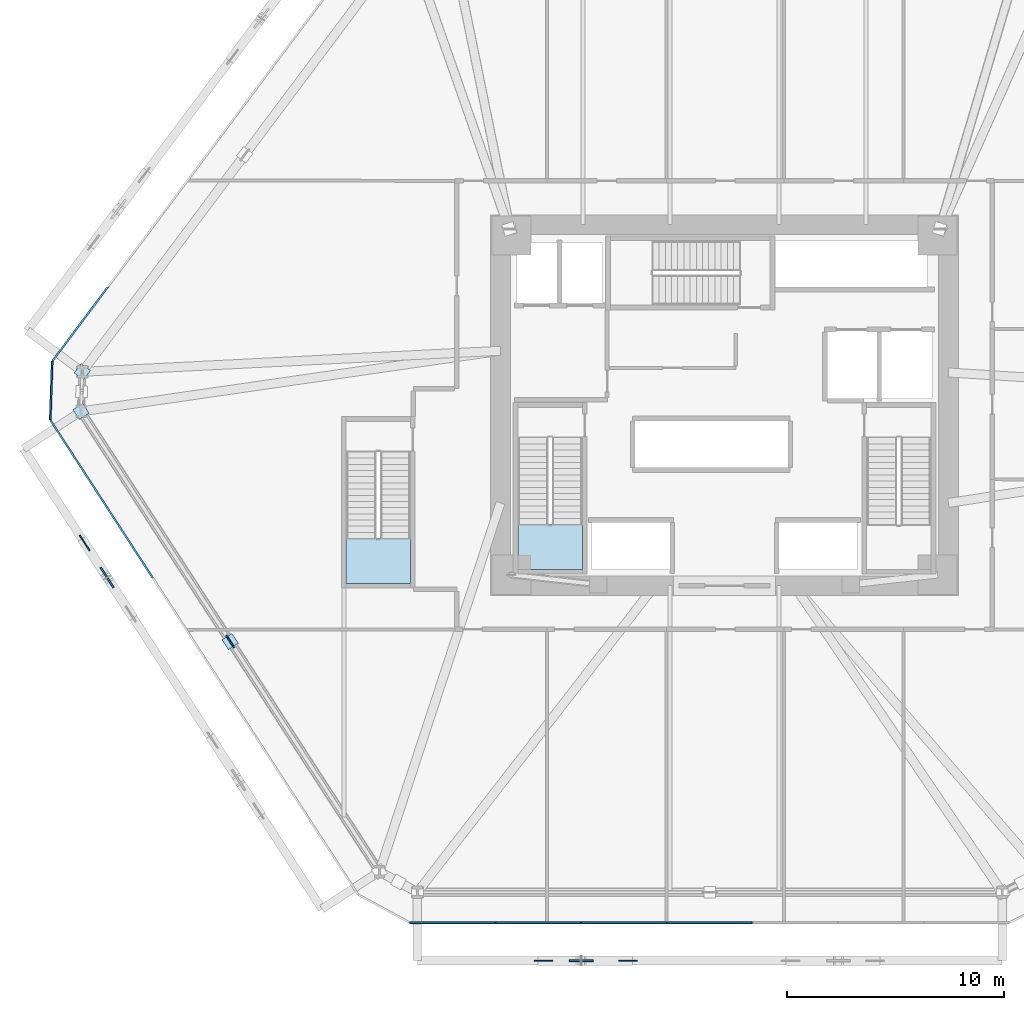
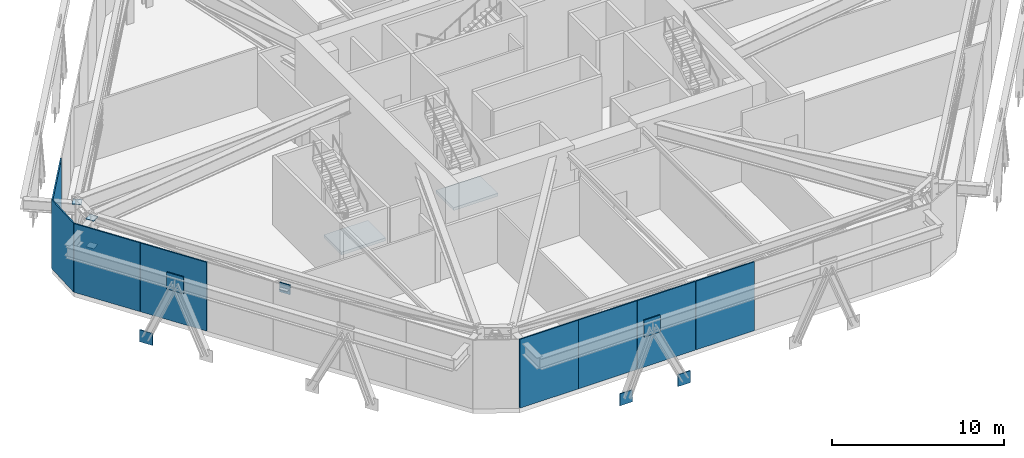
# One storey, part 5 of 16: 18 plates, 2 slabs, 2 elements without a shape of their own.
"""IFC4 building model written with IfcOpenShell, lengths in metres."""

from ifc_helpers import new_model, si_unit, direction, frame, origin, origin_2d, place, context, subcontext, project, spatial, polyline, rectangle, outline, extrude, source, transform, mapped, material, layer, layer_set, type_object, type_shapes, element, aggregate, save


model = new_model("IFC4")

# Units and contexts
model_context = context("Model", 3, precision=1e-05, world=origin(), true_north=direction((0.0, 1.0)))
body_context = subcontext(model_context, "Body", "Model", "MODEL_VIEW")
ifc_project = project(units=[si_unit("LENGTHUNIT", "METRE"), si_unit("AREAUNIT", "SQUARE_METRE"), si_unit("VOLUMEUNIT", "CUBIC_METRE"), si_unit("PLANEANGLEUNIT", "RADIAN"), si_unit("MASSUNIT", "GRAM", prefix="KILO")], contexts=[model_context])

# Site, building, storey
site_placement = place(None, origin())
site = spatial("IfcSite", under=ifc_project, at=site_placement, CompositionType="ELEMENT")
building_placement = place(site_placement, origin())
building = spatial("IfcBuilding", under=site, at=building_placement, Name="Durnholm Broadcast Tower", CompositionType="ELEMENT")
storey_placement = place(building_placement, frame((0.0, 0.0, 10.39990234375)))
storey = spatial("IfcBuildingStorey", under=building, at=storey_placement, Name="L02", CompositionType="ELEMENT", Elevation=10.39990234375)

# Stair, slab
ifc_material_1 = material(Name="Concrete C50/60", Category="concrete")
stair_type = type_object("IfcStairType", Name="STAIR-DL-30R1733", PredefinedType="HALF_TURN_STAIR", material=ifc_material_1)
stair_1_placement = place(storey_placement, origin())
stair_1 = element("IfcStair", 1, at=stair_1_placement, inside=storey, type_object=stair_type, Name="L02 ST-1", PredefinedType="HALF_TURN_STAIR")
ifc_layer_1 = layer(ifc_material_1, 0.199951171875)
ifc_layer_set_1 = layer_set([ifc_layer_1], Name="Concrete C50/60")
slab_type = type_object("IfcSlabType", Name="SLAB-LND-200", PredefinedType="LANDING", material=ifc_layer_set_1)
slab_1_placement = place(storey_placement, frame((0.0, 0.0, 2.400146484375)))
slab_1 = element("IfcSlab", 2, at=slab_1_placement, type_object=slab_type, Name="ST-1 landing 1", PredefinedType="LANDING", context=body_context, shape_type="SweptSolid", body=[
    extrude(outline(polyline([(-9.5, -5.489990234375), (-9.5, -7.550048828125), (-6.5400390625, -7.550048828125), (-6.5400390625, -5.489990234375), (-9.5, -5.489990234375)])), origin(), (0.0, 0.0, 1.0), 0.199951171875),
])
aggregate(stair_1, [slab_1])

stair_2_placement = place(storey_placement, origin())
stair_2 = element("IfcStair", 3, at=stair_2_placement, inside=storey, type_object=stair_type, Name="L02 ST-4", PredefinedType="HALF_TURN_STAIR")
slab_2_placement = place(storey_placement, frame((0.0, 0.0, 2.400146484375)))
slab_2 = element("IfcSlab", 4, at=slab_2_placement, type_object=slab_type, Name="ST-4 landing 1", PredefinedType="LANDING", context=body_context, shape_type="SweptSolid", body=[
    extrude(outline(polyline([(-17.39990234375, -6.139892578125), (-17.39990234375, -8.199951171875), (-14.43994140625, -8.199951171875), (-14.43994140625, -6.139892578125), (-17.39990234375, -6.139892578125)])), origin(), (0.0, 0.0, 1.0), 0.199951171875),
])
aggregate(stair_2, [slab_2])

# Plates
ifc_material_2 = material(Name="Steel ASTM A572 Grade 50", Category="steel")
ifc_layer_2 = layer(ifc_material_2, 0.0400390625)
ifc_layer_set_2 = layer_set([ifc_layer_2], Name="Steel ASTM A572 Grade 50")
plate_type_1 = type_object("IfcPlateType", Name="PLT-KN-CAP", PredefinedType="USERDEFINED", material=ifc_layer_set_2)
shared_shape_1 = source(origin(), body_context, "Body", "SweptSolid", [
    extrude(rectangle(XDim=0.5400390625, YDim=0.5400390625, at=origin_2d()), origin(), (0.0, 0.0, 1.0), 0.0400390625),
])
type_shapes(plate_type_1, [shared_shape_1])
for number, where, z_axis, x_axis, name in (
    (5, (-29.590576171875, -0.28857421875, 2.530029296875), (0.0, 0.0, 1.0), (-0.544053399827, 0.839050593311, 0.0), "L02 hollow section end cap plate BT-CH-L02-01 2"),
    (6, (-29.590576171875, -0.28857421875, 4.510009765625), (0.0, 0.0, 1.0), (-0.544053399827, 0.839050593311, 0.0), "L02 hollow section end cap plate BT-XCONT-L02-01 2"),
    (7, (-22.728515625, -10.86962890625, 3.52001953125), (0.0, 0.0, 1.0), (0.544053399827, -0.839050593311, 0.0), "L02 hollow section end cap plate BT-XSPLIT-L02-01-1 2"),
    (8, (-29.529296875, 1.530517578125, 4.510009765625), (0.0, 0.0, 1.0), (-0.59916334338, -0.800626809413, 0.0), "L02 hollow section end cap plate BT-XSPLIT-L02-03-2 2"),
):
    element("IfcPlate", number, at=place(storey_placement, frame(where, z_axis=z_axis, x_axis=x_axis)), inside=storey, type_object=plate_type_1, Name=name, ObjectType="CAP_PLATE", PredefinedType="USERDEFINED", context=body_context, shape_type="MappedRepresentation", body=[
        mapped(shared_shape_1, transform((0.0, 0.0, 0.0), x_axis=(1.0, 0.0, 0.0), y_axis=(0.0, 1.0, 0.0), z_axis=(0.0, 0.0, 1.0), scale=1.0)),
    ])
ifc_material_3 = material(Name="ASTM A572 Grade 50 Steel", Category="steel")
ifc_layer_3 = layer(ifc_material_3, 0.06005859375)
ifc_layer_set_3 = layer_set([ifc_layer_3], Name="ASTM A572 Grade 50 Steel")
plate_type_2 = type_object("IfcPlateType", Name="PLT-KN-X1", PredefinedType="USERDEFINED", material=ifc_layer_set_3)
shared_shape_2 = source(origin(), body_context, "Body", "SweptSolid", [
    extrude(rectangle(XDim=0.679931640625, YDim=0.06005859375, at=origin_2d()), origin(), (0.0, 0.0, 1.0), 0.679931640625),
])
type_shapes(plate_type_2, [shared_shape_2])
plate_1_placement = place(storey_placement, frame((-22.728515625, -10.86962890625, 3.2001953125), z_axis=(0.0, 0.0, 1.0), x_axis=(-0.544053399827, 0.839050593311, 0.0)))
element("IfcPlate", 9, at=plate_1_placement, inside=storey, type_object=plate_type_2, Name="L02 belt-truss X-brace crossing gusset plate 01", ObjectType="GUSSET_PLATE", PredefinedType="USERDEFINED", context=body_context, shape_type="MappedRepresentation", body=[
    mapped(shared_shape_2, transform((0.0, 0.0, 0.0), x_axis=(1.0, 0.0, 0.0), y_axis=(0.0, 1.0, 0.0), z_axis=(0.0, 0.0, 1.0), scale=1.0)),
])
ifc_layer_4 = layer(ifc_material_2, 0.080078125)
ifc_layer_set_4 = layer_set([ifc_layer_4], Name="Steel ASTM A572 Grade 50")
plate_type_3 = type_object("IfcPlateType", Name="PLT-KN02-GUS", PredefinedType="USERDEFINED", material=ifc_layer_set_4)
shared_shape_3 = source(origin(), body_context, "Body", "SweptSolid", [
    extrude(rectangle(XDim=0.85009765625, YDim=0.06005859375, at=origin_2d()), origin(), (0.0, 0.0, 1.0), 0.85009765625),
])
for number, where, z_axis, x_axis, name in (
    (10, (-8.3330078125, -25.550048828125, -0.77490234375), (0.0, 0.0, 1.0), (1.0, 0.0, 0.0), "L02 pilotis-to-diagrid base gusset plate F1.D1.1"),
    (11, (-4.444580078125, -25.550048828125, -0.77490234375), (0.0, 0.0, 1.0), (1.0, 0.0, 0.0), "L02 pilotis-to-diagrid base gusset plate F1.D1.2"),
    (12, (-29.42041015625, -6.340087890625, -0.77490234375), (0.0, 0.0, 1.0), (0.544053399827, -0.839050593311, 0.0), "L02 pilotis-to-diagrid base gusset plate F6.D1.1"),
):
    element("IfcPlate", number, at=place(storey_placement, frame(where, z_axis=z_axis, x_axis=x_axis)), inside=storey, type_object=plate_type_3, Name=name, ObjectType="GUSSET_PLATE", PredefinedType="USERDEFINED", context=body_context, shape_type="MappedRepresentation", body=[
        mapped(shared_shape_3, transform((0.0, 0.0, 0.0), x_axis=(1.0, 0.0, 0.0), y_axis=(0.0, 1.0, 0.0), z_axis=(0.0, 0.0, 1.0), scale=1.0)),
    ])
shared_shape_4 = source(origin(), body_context, "Body", "SweptSolid", [
    extrude(rectangle(XDim=1.10009765625, YDim=0.080078125, at=origin_2d()), origin(), (0.0, 0.0, 1.0), 1.199951171875),
])
type_shapes(plate_type_3, [shared_shape_3, shared_shape_4])
for number, where, z_axis, x_axis, name in (
    (13, (-6.58984375, -25.550048828125, 3.52880859375), (0.0, 0.0, 1.0), (1.0, 0.0, 0.0), "L02 welded diagrid node gusset plate KN02 F1"),
    (14, (-28.390625, -7.927978515625, 3.52880859375), (0.0, 0.0, 1.0), (0.544053399827, -0.839050593311, 0.0), "L02 welded diagrid node gusset plate KN02 F6"),
):
    element("IfcPlate", number, at=place(storey_placement, frame(where, z_axis=z_axis, x_axis=x_axis)), inside=storey, type_object=plate_type_3, Name=name, ObjectType="GUSSET_PLATE", PredefinedType="USERDEFINED", context=body_context, shape_type="MappedRepresentation", body=[
        mapped(shared_shape_4, transform((0.0, 0.0, 0.0), x_axis=(1.0, 0.0, 0.0), y_axis=(0.0, 1.0, 0.0), z_axis=(0.0, 0.0, 1.0), scale=1.0)),
    ])
ifc_material_4 = material(Name="Anodised Architectural Aluminium Louvre Screen", Category="aluminium")
ifc_layer_5 = layer(ifc_material_4, 0.0849609375)
ifc_layer_set_5 = layer_set([ifc_layer_5], Name="Anodised Architectural Aluminium Louvre Screen")
plate_type_4 = type_object("IfcPlateType", Name="PLT-CROWN-SCR", PredefinedType="USERDEFINED", material=ifc_layer_set_5)
shared_shape_5 = source(origin(), body_context, "Body", "SweptSolid", [
    extrude(rectangle(XDim=2.679931640625, YDim=0.0849609375, at=origin_2d()), origin(), (0.0, 0.0, 1.0), 4.8798828125),
])
plate_2_placement = place(storey_placement, frame((-30.959228515625, 0.66796875, 0.000244140625), z_axis=(0.0, 0.0, 1.0), x_axis=(0.033504050301, 0.999438581711, 0.0)))
element("IfcPlate", 15, at=plate_2_placement, inside=storey, type_object=plate_type_4, Name="L02 mechanical louvre screen panel SCR-L02-F01.1", ObjectType="SCREEN", PredefinedType="USERDEFINED", context=body_context, shape_type="MappedRepresentation", body=[
    mapped(shared_shape_5, transform((0.0, 0.0, 0.0), x_axis=(1.0, 0.0, 0.0), y_axis=(0.0, 1.0, 0.0), z_axis=(0.0, 0.0, 1.0), scale=1.0)),
])
shared_shape_6 = source(origin(), body_context, "Body", "SweptSolid", [
    extrude(rectangle(XDim=4.262939453125, YDim=0.0849609375, at=origin_2d()), origin(), (0.0, 0.0, 1.0), 4.8798828125),
])
plate_3_placement = place(storey_placement, frame((-29.630859375, 3.731689453125, 0.000244140625), z_axis=(0.0, 0.0, 1.0), x_axis=(0.59916334338, 0.800626809413, 0.0)))
element("IfcPlate", 16, at=plate_3_placement, inside=storey, type_object=plate_type_4, Name="L02 mechanical louvre screen panel SCR-L02-F02.1", ObjectType="SCREEN", PredefinedType="USERDEFINED", context=body_context, shape_type="MappedRepresentation", body=[
    mapped(shared_shape_6, transform((0.0, 0.0, 0.0), x_axis=(1.0, 0.0, 0.0), y_axis=(0.0, 1.0, 0.0), z_axis=(0.0, 0.0, 1.0), scale=1.0)),
])
shared_shape_7 = source(origin(), body_context, "Body", "SweptSolid", [
    extrude(rectangle(XDim=3.919677734375, YDim=0.0849609375, at=origin_2d()), origin(), (0.0, 0.0, 1.0), 4.8798828125),
])
for number, where, z_axis, x_axis, name in (
    (17, (-0.68603515625, -23.800048828125, 0.000244140625), (0.0, 0.0, 1.0), (-1.0, 0.0, 0.0), "L02 mechanical louvre screen panel SCR-L02-F10.4"),
    (18, (-4.625732421875, -23.800048828125, 0.000244140625), (0.0, 0.0, 1.0), (-1.0, 0.0, 0.0), "L02 mechanical louvre screen panel SCR-L02-F10.5"),
    (19, (-8.5654296875, -23.800048828125, 0.000244140625), (0.0, 0.0, 1.0), (-1.0, 0.0, 0.0), "L02 mechanical louvre screen panel SCR-L02-F10.6"),
    (20, (-12.505126953125, -23.800048828125, 0.000244140625), (0.0, 0.0, 1.0), (-1.0, 0.0, 0.0), "L02 mechanical louvre screen panel SCR-L02-F10.7"),
):
    element("IfcPlate", number, at=place(storey_placement, frame(where, z_axis=z_axis, x_axis=x_axis)), inside=storey, type_object=plate_type_4, Name=name, ObjectType="SCREEN", PredefinedType="USERDEFINED", context=body_context, shape_type="MappedRepresentation", body=[
        mapped(shared_shape_7, transform((0.0, 0.0, 0.0), x_axis=(1.0, 0.0, 0.0), y_axis=(0.0, 1.0, 0.0), z_axis=(0.0, 0.0, 1.0), scale=1.0)),
    ])
shared_shape_8 = source(origin(), body_context, "Body", "SweptSolid", [
    extrude(rectangle(XDim=4.31640625, YDim=0.0849609375, at=origin_2d()), origin(), (0.0, 0.0, 1.0), 4.8798828125),
])
type_shapes(plate_type_4, [shared_shape_5, shared_shape_6, shared_shape_7, shared_shape_8])
for number, where, z_axis, x_axis, name in (
    (21, (-27.465087890625, -6.138671875, 0.000244140625), (0.0, 0.0, 1.0), (-0.544053399827, 0.839050593311, 0.0), "L02 mechanical louvre screen panel SCR-L02-F12.5"),
    (22, (-29.82470703125, -2.50048828125, 0.000244140625), (0.0, 0.0, 1.0), (-0.544053399827, 0.839050593311, 0.0), "L02 mechanical louvre screen panel SCR-L02-F12.6"),
):
    element("IfcPlate", number, at=place(storey_placement, frame(where, z_axis=z_axis, x_axis=x_axis)), inside=storey, type_object=plate_type_4, Name=name, ObjectType="SCREEN", PredefinedType="USERDEFINED", context=body_context, shape_type="MappedRepresentation", body=[
        mapped(shared_shape_8, transform((0.0, 0.0, 0.0), x_axis=(1.0, 0.0, 0.0), y_axis=(0.0, 1.0, 0.0), z_axis=(0.0, 0.0, 1.0), scale=1.0)),
    ])

save(model, "model.ifc")
